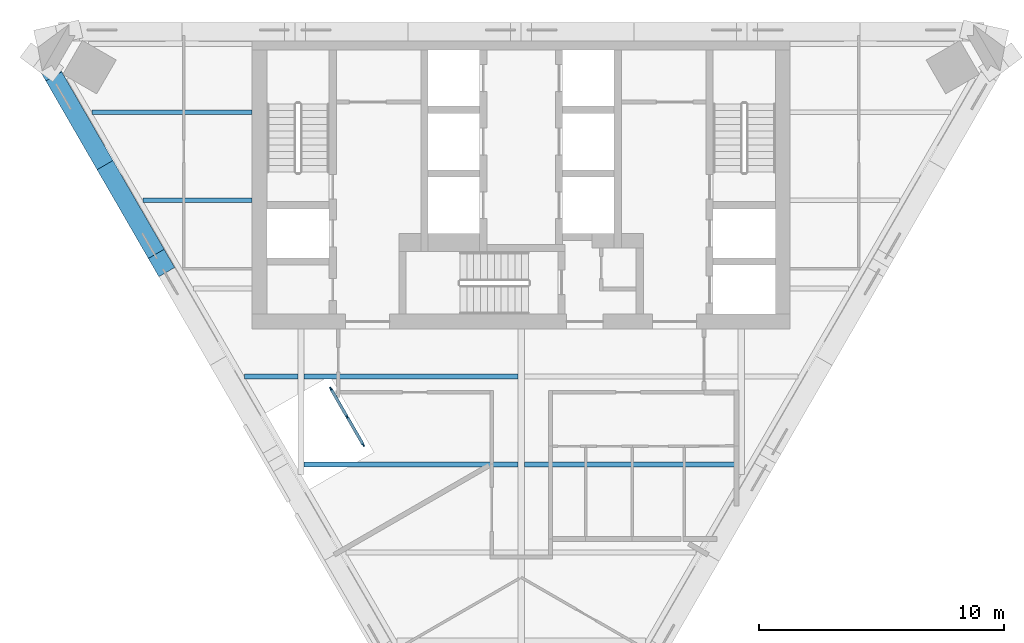
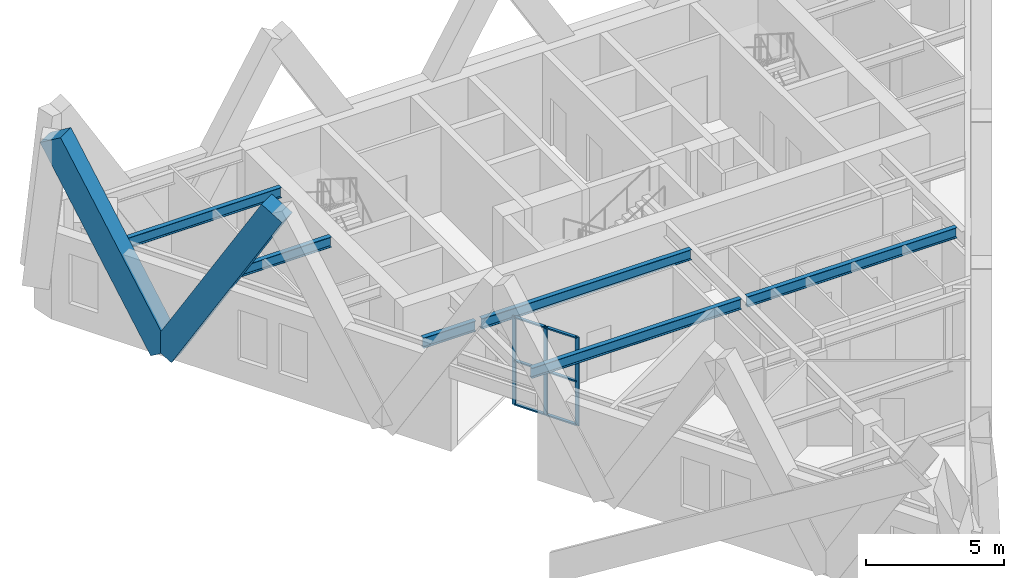
# One storey, part 2 of 8: 11 members, 6 beams, 1 element without a shape of its own.
"""IFC4 building model written with IfcOpenShell, lengths in metres."""

from ifc_helpers import new_model, si_unit, direction, frame, origin, origin_2d, place, context, subcontext, project, spatial, rectangle, i_section, extrude, material, material_profile, profile_set, type_object, element, aggregate, save


model = new_model("IFC4")

# Units and contexts
model_context = context("Model", 3, precision=1e-05, world=origin(), true_north=direction((0.0, 1.0)))
body_context = subcontext(model_context, "Body", "Model", "MODEL_VIEW")
ifc_project = project(units=[si_unit("LENGTHUNIT", "METRE"), si_unit("AREAUNIT", "SQUARE_METRE"), si_unit("VOLUMEUNIT", "CUBIC_METRE"), si_unit("PLANEANGLEUNIT", "RADIAN"), si_unit("MASSUNIT", "GRAM", prefix="KILO")], contexts=[model_context])

# Site, building, storey
site_placement = place(None, origin())
site = spatial("IfcSite", under=ifc_project, at=site_placement, CompositionType="ELEMENT")
building_placement = place(site_placement, origin())
building = spatial("IfcBuilding", under=site, at=building_placement, Name="Aloe Facet Convention Tower", CompositionType="ELEMENT")
storey_placement = place(building_placement, frame((0.0, 0.0, 262.10009765625)))
storey = spatial("IfcBuildingStorey", under=building, at=storey_placement, Name="L64", CompositionType="ELEMENT", Elevation=262.10009765625)

# Curtain wall, members
ifc_material_1 = material(Name="Aluminium, anodised", Category="aluminium")
curtain_wall_type = type_object("IfcCurtainWallType", Name="EV-CW-TERRACE", PredefinedType="USERDEFINED", material=ifc_material_1)
curtain_wall_placement = place(storey_placement, origin())
curtain_wall = element("IfcCurtainWall", 1, at=curtain_wall_placement, inside=storey, type_object=curtain_wall_type, Name="CW-T14", ObjectType="TERRACE BACK GLAZING", PredefinedType="USERDEFINED")
ifc_material_2 = material(Name="Aluminium, anodised", Category="aluminium")
ifc_material_profile_1 = material_profile(ifc_material_2, rectangle(XDim=0.06005859375, YDim=0.14990234375, at=origin_2d()), Name="AL 60x150")
ifc_profile_set_1 = profile_set([ifc_material_profile_1], Name="Aluminium, anodised")
member_type_1 = type_object("IfcMemberType", Name="EV-MULL-TERRACE", PredefinedType="MULLION", material=ifc_profile_set_1)
member_1_placement = place(storey_placement, frame((72.222900390625, 120.0908203125, -0.150146484375), z_axis=(0.0, 0.0, 1.0), x_axis=(0.866025403767, 0.50000000003, 0.0)))
member_1 = element("IfcMember", 2, at=member_1_placement, type_object=member_type_1, Name="CW-T14 mullion 1", PredefinedType="MULLION", context=body_context, shape_type="SweptSolid", body=[
    extrude(rectangle(XDim=0.06005859375, YDim=0.14990234375, at=origin_2d()), origin(), (0.0, 0.0, 1.0), 3.900146484375),
])
member_2_placement = place(storey_placement, frame((72.8828125, 118.94775390625, -0.150146484375), z_axis=(0.0, 0.0, 1.0), x_axis=(0.866025403767, 0.50000000003, 0.0)))
member_2 = element("IfcMember", 3, at=member_2_placement, type_object=member_type_1, Name="CW-T14 mullion 2", PredefinedType="MULLION", context=body_context, shape_type="SweptSolid", body=[
    extrude(rectangle(XDim=0.06005859375, YDim=0.14990234375, at=origin_2d()), origin(), (0.0, 0.0, 1.0), 3.900146484375),
])
member_3_placement = place(storey_placement, frame((73.54296875, 117.8046875, -0.150146484375), z_axis=(0.0, 0.0, 1.0), x_axis=(0.866025403767, 0.50000000003, 0.0)))
member_3 = element("IfcMember", 4, at=member_3_placement, type_object=member_type_1, Name="CW-T14 mullion 3", PredefinedType="MULLION", context=body_context, shape_type="SweptSolid", body=[
    extrude(rectangle(XDim=0.06005859375, YDim=0.14990234375, at=origin_2d()), origin(), (0.0, 0.0, 1.0), 3.900146484375),
])
ifc_material_3 = material(Name="Aluminium, anodised", Category="aluminium")
ifc_material_profile_2 = material_profile(ifc_material_3, rectangle(XDim=0.1201171875, YDim=0.06005859375, at=origin_2d()), Name="AL 120x60")
ifc_profile_set_2 = profile_set([ifc_material_profile_2], Name="Aluminium, anodised")
member_type_2 = type_object("IfcMemberType", Name="EV-TRAN-TERRACE", PredefinedType="USERDEFINED", material=ifc_profile_set_2)
member_4_placement = place(storey_placement, frame((72.23779296875, 120.06494140625, -0.1201171875), z_axis=(0.500035496587, -0.86600490885, 0.0), x_axis=(0.86600490885, 0.500035496587, 0.0)))
member_4 = element("IfcMember", 5, at=member_4_placement, type_object=member_type_2, Name="CW-T14 transom 1.1", ObjectType="TRANSOM", PredefinedType="USERDEFINED", context=body_context, shape_type="SweptSolid", body=[
    extrude(rectangle(XDim=0.1201171875, YDim=0.06005859375, at=origin_2d()), origin(), (0.0, 0.0, 1.0), 1.26025390625),
])
member_5_placement = place(storey_placement, frame((72.23779296875, 120.06494140625, 1.7998046875), z_axis=(0.500035496587, -0.86600490885, 0.0), x_axis=(0.86600490885, 0.500035496587, 0.0)))
member_5 = element("IfcMember", 6, at=member_5_placement, type_object=member_type_2, Name="CW-T14 transom 1.2", ObjectType="TRANSOM", PredefinedType="USERDEFINED", context=body_context, shape_type="SweptSolid", body=[
    extrude(rectangle(XDim=0.1201171875, YDim=0.06005859375, at=origin_2d()), origin(), (0.0, 0.0, 1.0), 1.26025390625),
])
member_6_placement = place(storey_placement, frame((72.23779296875, 120.06494140625, 3.719970703125), z_axis=(0.500035496587, -0.86600490885, 0.0), x_axis=(0.86600490885, 0.500035496587, 0.0)))
member_6 = element("IfcMember", 7, at=member_6_placement, type_object=member_type_2, Name="CW-T14 transom 1.3", ObjectType="TRANSOM", PredefinedType="USERDEFINED", context=body_context, shape_type="SweptSolid", body=[
    extrude(rectangle(XDim=0.1201171875, YDim=0.06005859375, at=origin_2d()), origin(), (0.0, 0.0, 1.0), 1.26025390625),
])
member_7_placement = place(storey_placement, frame((72.89794921875, 118.921875, -0.1201171875), z_axis=(0.499890179513, -0.866088799389, 0.0), x_axis=(0.866088799389, 0.499890179513, 0.0)))
member_7 = element("IfcMember", 8, at=member_7_placement, type_object=member_type_2, Name="CW-T14 transom 2.1", ObjectType="TRANSOM", PredefinedType="USERDEFINED", context=body_context, shape_type="SweptSolid", body=[
    extrude(rectangle(XDim=0.1201171875, YDim=0.06005859375, at=origin_2d()), origin(), (0.0, 0.0, 1.0), 1.260009765625),
])
member_8_placement = place(storey_placement, frame((72.89794921875, 118.921875, 1.7998046875), z_axis=(0.499890179513, -0.866088799389, 0.0), x_axis=(0.866088799389, 0.499890179513, 0.0)))
member_8 = element("IfcMember", 9, at=member_8_placement, type_object=member_type_2, Name="CW-T14 transom 2.2", ObjectType="TRANSOM", PredefinedType="USERDEFINED", context=body_context, shape_type="SweptSolid", body=[
    extrude(rectangle(XDim=0.1201171875, YDim=0.06005859375, at=origin_2d()), origin(), (0.0, 0.0, 1.0), 1.260009765625),
])
member_9_placement = place(storey_placement, frame((72.89794921875, 118.921875, 3.719970703125), z_axis=(0.499890179513, -0.866088799389, 0.0), x_axis=(0.866088799389, 0.499890179513, 0.0)))
member_9 = element("IfcMember", 10, at=member_9_placement, type_object=member_type_2, Name="CW-T14 transom 2.3", ObjectType="TRANSOM", PredefinedType="USERDEFINED", context=body_context, shape_type="SweptSolid", body=[
    extrude(rectangle(XDim=0.1201171875, YDim=0.06005859375, at=origin_2d()), origin(), (0.0, 0.0, 1.0), 1.260009765625),
])
aggregate(curtain_wall, [member_1, member_2, member_3, member_4, member_5, member_6, member_7, member_8, member_9])

# Beams
ifc_material_4 = material(Name="Steel S355", Category="steel")
ifc_material_profile_3 = material_profile(ifc_material_4, i_section(OverallWidth=0.19140625, OverallDepth=0.4599609375, WebThickness=0.010009765625, FlangeThickness=0.01611328125, FilletRadius=0.01025390625, at=origin_2d()), Name="UB 457x191x82")
ifc_profile_set_3 = profile_set([ifc_material_profile_3], Name="Steel S355")
beam_type = type_object("IfcBeamType", Name="SF-B-UB457x191x82", PredefinedType="BEAM", material=ifc_profile_set_3)
beam_1_placement = place(storey_placement, frame((62.452392578125, 131.39990234375, 3.52001953125), z_axis=(1.0, 0.0, 0.0), x_axis=(0.0, 1.0, 0.0)))
element("IfcBeam", 11, at=beam_1_placement, inside=storey, type_object=beam_type, Name="Floor beam FB-Z5B-009", PredefinedType="BEAM", context=body_context, shape_type="SweptSolid", body=[
    extrude(i_section(OverallWidth=0.19140625, OverallDepth=0.4599609375, WebThickness=0.010009765625, FlangeThickness=0.01611328125, FilletRadius=0.01025390625, at=origin_2d()), origin(), (0.0, 0.0, 1.0), 6.547607421875),
])
beam_2_placement = place(storey_placement, frame((64.53076171875, 127.800048828125, 3.52001953125), z_axis=(1.0, 0.0, 0.0), x_axis=(0.0, 1.0, 0.0)))
element("IfcBeam", 12, at=beam_2_placement, inside=storey, type_object=beam_type, Name="Floor beam FB-Z5B-010", PredefinedType="BEAM", context=body_context, shape_type="SweptSolid", body=[
    extrude(i_section(OverallWidth=0.19140625, OverallDepth=0.4599609375, WebThickness=0.010009765625, FlangeThickness=0.01611328125, FilletRadius=0.01025390625, at=origin_2d()), origin(), (0.0, 0.0, 1.0), 4.46923828125),
])
beam_3_placement = place(storey_placement, frame((68.687744140625, 120.60009765625, 3.52001953125), z_axis=(1.0, 0.0, 0.0), x_axis=(0.0, 1.0, 0.0)))
element("IfcBeam", 13, at=beam_3_placement, inside=storey, type_object=beam_type, Name="Floor beam FB-Z5B-012", PredefinedType="BEAM", context=body_context, shape_type="SweptSolid", body=[
    extrude(i_section(OverallWidth=0.19140625, OverallDepth=0.4599609375, WebThickness=0.010009765625, FlangeThickness=0.01611328125, FilletRadius=0.01025390625, at=origin_2d()), origin(), (0.0, 0.0, 1.0), 2.185791015625),
])
for number, where, z_axis, x_axis, name in (
    (14, (71.12646484375, 117.0, 3.52001953125), (1.0, 0.0, 0.0), (0.0, 1.0, 0.0), "Floor beam FB-Z5B-013"),
    (15, (71.12646484375, 120.60009765625, 3.52001953125), (1.0, 0.0, 0.0), (0.0, 1.0, 0.0), "Floor beam FB-Z5B-014"),
    (16, (80.12646484375, 117.0, 3.52001953125), (1.0, 0.0, 0.0), (0.0, 1.0, 0.0), "Floor beam FB-Z5B-021"),
):
    element("IfcBeam", number, at=place(storey_placement, frame(where, z_axis=z_axis, x_axis=x_axis)), inside=storey, type_object=beam_type, Name=name, PredefinedType="BEAM", context=body_context, shape_type="SweptSolid", body=[
        extrude(i_section(OverallWidth=0.19140625, OverallDepth=0.4599609375, WebThickness=0.010009765625, FlangeThickness=0.01611328125, FilletRadius=0.01025390625, at=origin_2d()), origin(), (0.0, 0.0, 1.0), 8.7470703125),
    ])

# Members
ifc_material_5 = material(Name="Concrete C60/75, bronze oxide finish", Category="concrete")
ifc_material_profile_4 = material_profile(ifc_material_5, rectangle(XDim=0.75, YDim=1.0, at=origin_2d()), Name="STW-LM")
ifc_profile_set_4 = profile_set([ifc_material_profile_4], Name="Concrete C60/75, bronze oxide finish")
member_type_3 = type_object("IfcMemberType", Name="STW-LM", PredefinedType="BRACE", material=ifc_profile_set_4)
for number, where, z_axis, x_axis, name in (
    (17, (62.984375, 129.242431640625, 0.0), (-0.2548823971, 0.441446078781, 0.860325707612), (-0.866014033677, -0.500019693086, 0.0), "Lattice member LM-Z5-F2-R3-01"),
    (18, (62.984375, 129.242431640625, 0.0), (0.254879367103, -0.441467759565, 0.860315480211), (0.866027240882, 0.49999681804, 0.0), "Lattice member LM-Z5-F2-R3-02"),
):
    element("IfcMember", number, at=place(storey_placement, frame(where, z_axis=z_axis, x_axis=x_axis)), inside=storey, type_object=member_type_3, Name=name, PredefinedType="BRACE", context=body_context, shape_type="SweptSolid", body=[
        extrude(rectangle(XDim=0.75, YDim=1.0, at=origin_2d()), origin(), (0.0, 0.0, 1.0), 9.066162109375),
    ])

save(model, "model.ifc")
